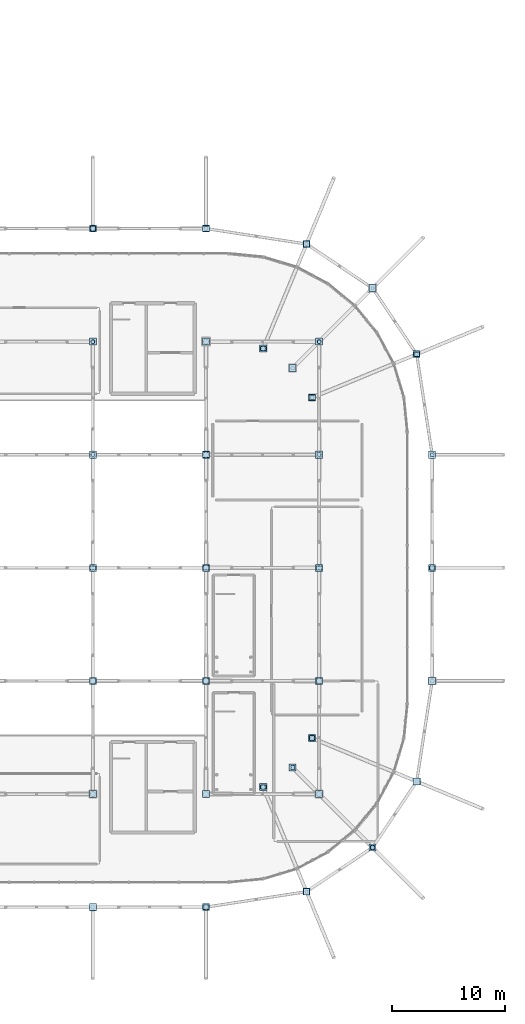
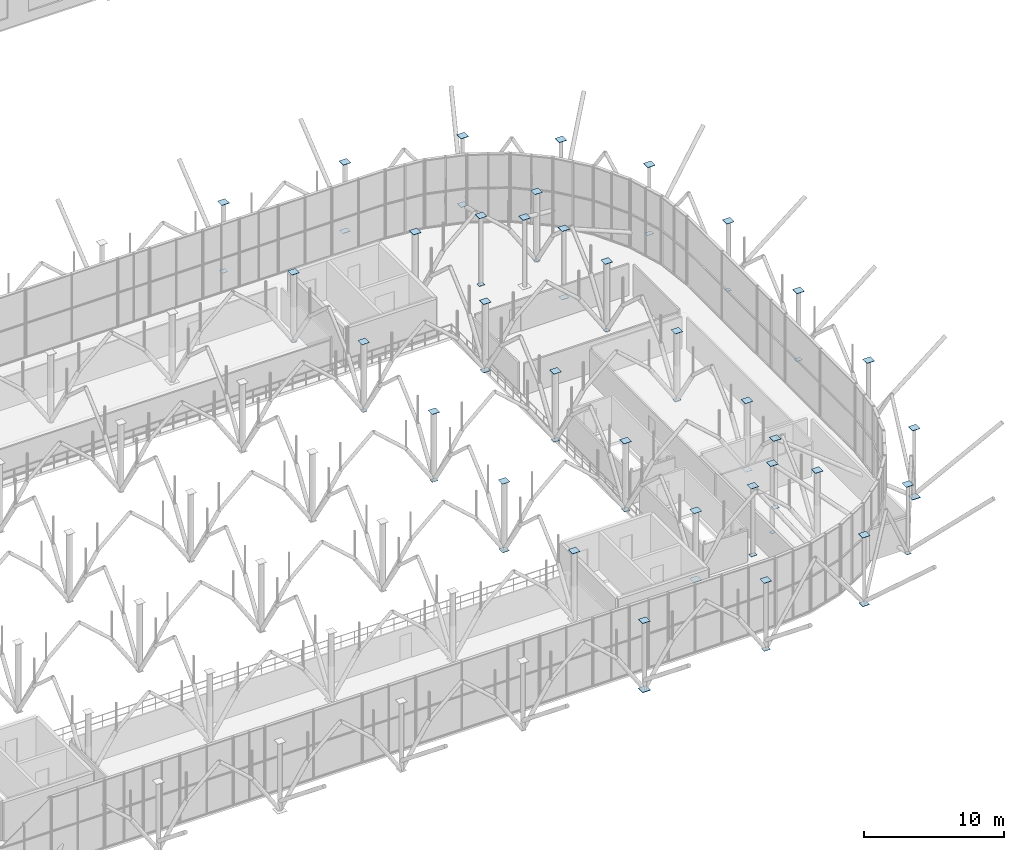
# One storey, part 94 of 109: 62 plates.
"""IFC4 building model written with IfcOpenShell, lengths in metres."""

from ifc_helpers import new_model, si_unit, derived_unit, direction, frame, origin, origin_2d_with_axis, place, context, subcontext, project, spatial, rectangle, extrude, material, layer, layer_set, type_object, element, save


model = new_model("IFC4")

# Units and contexts
model_context = context("Model", 3, precision=1e-05, world=origin(), true_north=direction((0.0, 1.0)))
body_context = subcontext(model_context, "Body", "Model", "MODEL_VIEW")
ifc_project = project(units=[si_unit("LENGTHUNIT", "METRE"), si_unit("AREAUNIT", "SQUARE_METRE"), si_unit("VOLUMEUNIT", "CUBIC_METRE"), si_unit("PLANEANGLEUNIT", "RADIAN"), si_unit("MASSUNIT", "GRAM", prefix="KILO"), derived_unit("THERMALTRANSMITTANCEUNIT", [(si_unit("POWERUNIT", "WATT"), 1), (si_unit("LENGTHUNIT", "METRE"), -2), (si_unit("THERMODYNAMICTEMPERATUREUNIT", "KELVIN"), -1)])], contexts=[model_context])

# Site, building, storey
site_placement = place(None, origin())
site = spatial("IfcSite", under=ifc_project, at=site_placement, CompositionType="ELEMENT")
building_placement = place(site_placement, origin())
building = spatial("IfcBuilding", under=site, at=building_placement, Name="Cinnabar Yard Market Hall", CompositionType="ELEMENT")
storey_placement = place(building_placement, frame((0.0, 0.0, 8.39990234375)))
storey = spatial("IfcBuildingStorey", under=building, at=storey_placement, Name="L02", CompositionType="ELEMENT", Elevation=8.39990234375)

# Plates
ifc_material = material(Name="Steel Grade 350 (350 MPa)", Category="steel")
ifc_layer_1 = layer(ifc_material, 0.02392578125)
ifc_layer_set_1 = layer_set([ifc_layer_1], Name="Steel Grade 350 (350 MPa)")
plate_type_1 = type_object("IfcPlateType", Name="PL-NP02", PredefinedType="SHEET", material=ifc_layer_set_1)
for number, where, z_axis, x_axis, name in (
    (1, (136.0, 34.0, -0.011962890625), (0.0, 0.0, 1.0), (1.0, 0.0, 0.0), "Tree Collar Plate V1I-07-02"),
    (2, (156.0, 34.0, -0.011962890625), (0.0, 0.0, 1.0), (1.0, 0.0, 0.0), "Tree Collar Plate V1I-09-02"),
):
    element("IfcPlate", number, at=place(storey_placement, frame(where, z_axis=z_axis, x_axis=x_axis)), inside=storey, type_object=plate_type_1, Name=name, PredefinedType="SHEET", context=body_context, shape_type="SweptSolid", body=[
        extrude(rectangle(XDim=0.56005859375, YDim=0.56005859375, at=origin_2d_with_axis()), origin(), (0.0, 0.0, 1.0), 0.02392578125),
    ])
ifc_layer_2 = layer(ifc_material, 0.02392578125)
ifc_layer_set_2 = layer_set([ifc_layer_2], Name="Steel Grade 350 (350 MPa)")
plate_type_2 = type_object("IfcPlateType", Name="PL-NP02E", PredefinedType="SHEET", material=ifc_layer_set_2)
for number, where, z_axis, x_axis, name in (
    (3, (154.88818359375, 15.3701171875, -0.011962890625), (0.0, 0.0, 1.0), (1.0, 0.0, 0.0), "Tree Collar Plate V1C-SE2"),
    (4, (154.88818359375, 72.6298828125, -0.011962890625), (0.0, 0.0, 1.0), (1.0, 0.0, 0.0), "Tree Collar Plate V1C-NE6"),
):
    element("IfcPlate", number, at=place(storey_placement, frame(where, z_axis=z_axis, x_axis=x_axis)), inside=storey, type_object=plate_type_2, Name=name, PredefinedType="SHEET", context=body_context, shape_type="SweptSolid", body=[
        extrude(rectangle(XDim=0.56005859375, YDim=0.56005859375, at=origin_2d_with_axis()), origin(), (0.0, 0.0, 1.0), 0.02392578125),
    ])
ifc_layer_3 = layer(ifc_material, 0.02001953125)
ifc_layer_set_3 = layer_set([ifc_layer_3], Name="Steel Grade 350 (350 MPa)")
plate_type_3 = type_object("IfcPlateType", Name="PL-NP03", PredefinedType="SHEET", material=ifc_layer_set_3)
for number, where, z_axis, x_axis, name in (
    (5, (136.0, 44.0, -0.010009765625), (0.0, 0.0, 1.0), (1.0, 0.0, 0.0), "Tree Collar Plate V1I-07-03"),
    (6, (156.0, 44.0, -0.010009765625), (0.0, 0.0, 1.0), (1.0, 0.0, 0.0), "Tree Collar Plate V1I-09-03"),
    (7, (151.0615234375, 24.60888671875, -0.010009765625), (0.0, 0.0, 1.0), (1.0, 0.0, 0.0), "Tree Collar Plate V1IC-SE2"),
    (8, (151.0615234375, 63.39111328125, -0.010009765625), (0.0, 0.0, 1.0), (1.0, 0.0, 0.0), "Tree Collar Plate V1IC-NE6"),
):
    element("IfcPlate", number, at=place(storey_placement, frame(where, z_axis=z_axis, x_axis=x_axis)), inside=storey, type_object=plate_type_3, Name=name, PredefinedType="SHEET", context=body_context, shape_type="SweptSolid", body=[
        extrude(rectangle(XDim=0.47998046875, YDim=0.360107421875, at=origin_2d_with_axis()), origin(), (0.0, 0.0, 1.0), 0.02001953125),
    ])
ifc_layer_4 = layer(ifc_material, 0.02001953125)
ifc_layer_set_4 = layer_set([ifc_layer_4], Name="Steel Grade 350 (350 MPa)")
plate_type_4 = type_object("IfcPlateType", Name="PL-NP03E", PredefinedType="SHEET", material=ifc_layer_set_4)
plate_1_placement = place(storey_placement, frame((166.0, 44.0, -0.010009765625), z_axis=(0.0, 0.0, 1.0), x_axis=(1.0, 0.0, 0.0)))
element("IfcPlate", 9, at=plate_1_placement, inside=storey, type_object=plate_type_4, Name="Tree Collar Plate V1E-02", PredefinedType="SHEET", context=body_context, shape_type="SweptSolid", body=[
    extrude(rectangle(XDim=0.47998046875, YDim=0.360107421875, at=origin_2d_with_axis()), origin(), (0.0, 0.0, 1.0), 0.02001953125),
])
ifc_layer_5 = layer(ifc_material, 0.02392578125)
ifc_layer_set_5 = layer_set([ifc_layer_5], Name="Steel Grade 350 (350 MPa)")
plate_type_5 = type_object("IfcPlateType", Name="PL-NP04", PredefinedType="SHEET", material=ifc_layer_set_5)
for number, where, z_axis, x_axis, name in (
    (10, (136.0, 24.0, 5.988037109375), (0.0, 0.0, 1.0), (1.0, 0.0, 0.0), "Tree Column Top Cap V1I-07-01"),
    (11, (136.0, 34.0, 5.988037109375), (0.0, 0.0, 1.0), (1.0, 0.0, 0.0), "Tree Column Top Cap V1I-07-02"),
    (12, (136.0, 44.0, 5.988037109375), (0.0, 0.0, 1.0), (1.0, 0.0, 0.0), "Tree Column Top Cap V1I-07-03"),
    (13, (136.0, 54.0, 5.988037109375), (0.0, 0.0, 1.0), (1.0, 0.0, 0.0), "Tree Column Top Cap V1I-07-04"),
    (14, (136.0, 64.0, 5.988037109375), (0.0, 0.0, 1.0), (1.0, 0.0, 0.0), "Tree Column Top Cap V1I-07-05"),
    (15, (146.0, 24.0, 5.988037109375), (0.0, 0.0, 1.0), (1.0, 0.0, 0.0), "Tree Column Top Cap V1I-08-01"),
    (16, (146.0, 34.0, 5.988037109375), (0.0, 0.0, 1.0), (1.0, 0.0, 0.0), "Tree Column Top Cap V1I-08-02"),
    (17, (146.0, 44.0, 5.988037109375), (0.0, 0.0, 1.0), (1.0, 0.0, 0.0), "Tree Column Top Cap V1I-08-03"),
    (18, (146.0, 54.0, 5.988037109375), (0.0, 0.0, 1.0), (1.0, 0.0, 0.0), "Tree Column Top Cap V1I-08-04"),
    (19, (146.0, 64.0, 5.988037109375), (0.0, 0.0, 1.0), (1.0, 0.0, 0.0), "Tree Column Top Cap V1I-08-05"),
    (20, (156.0, 24.0, 5.988037109375), (0.0, 0.0, 1.0), (1.0, 0.0, 0.0), "Tree Column Top Cap V1I-09-01"),
    (21, (156.0, 34.0, 5.988037109375), (0.0, 0.0, 1.0), (1.0, 0.0, 0.0), "Tree Column Top Cap V1I-09-02"),
    (22, (156.0, 44.0, 5.988037109375), (0.0, 0.0, 1.0), (1.0, 0.0, 0.0), "Tree Column Top Cap V1I-09-03"),
    (23, (156.0, 54.0, 5.988037109375), (0.0, 0.0, 1.0), (1.0, 0.0, 0.0), "Tree Column Top Cap V1I-09-04"),
    (24, (156.0, 64.0, 5.988037109375), (0.0, 0.0, 1.0), (1.0, 0.0, 0.0), "Tree Column Top Cap V1I-09-05"),
    (25, (151.0615234375, 24.60888671875, 5.988037109375), (0.0, 0.0, 1.0), (1.0, 0.0, 0.0), "Tree Column Top Cap V1IC-SE2"),
    (26, (153.656982421875, 26.343017578125, 5.988037109375), (0.0, 0.0, 1.0), (1.0, 0.0, 0.0), "Tree Column Top Cap V1IC-SE4"),
    (27, (155.39111328125, 28.9384765625, 5.988037109375), (0.0, 0.0, 1.0), (1.0, 0.0, 0.0), "Tree Column Top Cap V1IC-SE6"),
    (28, (155.39111328125, 59.0615234375, 5.988037109375), (0.0, 0.0, 1.0), (1.0, 0.0, 0.0), "Tree Column Top Cap V1IC-NE2"),
    (29, (153.656982421875, 61.656982421875, 5.988037109375), (0.0, 0.0, 1.0), (1.0, 0.0, 0.0), "Tree Column Top Cap V1IC-NE4"),
    (30, (151.0615234375, 63.39111328125, 5.988037109375), (0.0, 0.0, 1.0), (1.0, 0.0, 0.0), "Tree Column Top Cap V1IC-NE6"),
):
    element("IfcPlate", number, at=place(storey_placement, frame(where, z_axis=z_axis, x_axis=x_axis)), inside=storey, type_object=plate_type_5, Name=name, PredefinedType="SHEET", context=body_context, shape_type="SweptSolid", body=[
        extrude(rectangle(XDim=0.6201171875, YDim=0.6201171875, at=origin_2d_with_axis()), origin(), (0.0, 0.0, 1.0), 0.02392578125),
    ])
ifc_layer_6 = layer(ifc_material, 0.02392578125)
ifc_layer_set_6 = layer_set([ifc_layer_6], Name="Steel Grade 350 (350 MPa)")
plate_type_6 = type_object("IfcPlateType", Name="PL-NP04E", PredefinedType="SHEET", material=ifc_layer_set_6)
for number, where, z_axis, x_axis, name in (
    (31, (136.0, 14.0, 5.988037109375), (0.0, 0.0, 1.0), (1.0, 0.0, 0.0), "Tree Column Top Cap V1S-06"),
    (32, (136.0, 74.0, 5.988037109375), (0.0, 0.0, 1.0), (1.0, 0.0, 0.0), "Tree Column Top Cap V1N-06"),
    (33, (146.0, 14.0, 5.988037109375), (0.0, 0.0, 1.0), (1.0, 0.0, 0.0), "Tree Column Top Cap V1S-07"),
    (34, (146.0, 74.0, 5.988037109375), (0.0, 0.0, 1.0), (1.0, 0.0, 0.0), "Tree Column Top Cap V1N-07"),
    (35, (166.0, 34.0, 5.988037109375), (0.0, 0.0, 1.0), (1.0, 0.0, 0.0), "Tree Column Top Cap V1E-01"),
    (36, (166.0, 44.0, 5.988037109375), (0.0, 0.0, 1.0), (1.0, 0.0, 0.0), "Tree Column Top Cap V1E-02"),
    (37, (166.0, 54.0, 5.988037109375), (0.0, 0.0, 1.0), (1.0, 0.0, 0.0), "Tree Column Top Cap V1E-03"),
    (38, (154.88818359375, 15.3701171875, 5.988037109375), (0.0, 0.0, 1.0), (1.0, 0.0, 0.0), "Tree Column Top Cap V1C-SE2"),
    (39, (160.727783203125, 19.272216796875, 5.988037109375), (0.0, 0.0, 1.0), (1.0, 0.0, 0.0), "Tree Column Top Cap V1C-SE4"),
    (40, (164.6298828125, 25.11181640625, 5.988037109375), (0.0, 0.0, 1.0), (1.0, 0.0, 0.0), "Tree Column Top Cap V1C-SE6"),
    (41, (164.6298828125, 62.88818359375, 5.988037109375), (0.0, 0.0, 1.0), (1.0, 0.0, 0.0), "Tree Column Top Cap V1C-NE2"),
    (42, (160.727783203125, 68.727783203125, 5.988037109375), (0.0, 0.0, 1.0), (1.0, 0.0, 0.0), "Tree Column Top Cap V1C-NE4"),
    (43, (154.88818359375, 72.6298828125, 5.988037109375), (0.0, 0.0, 1.0), (1.0, 0.0, 0.0), "Tree Column Top Cap V1C-NE6"),
):
    element("IfcPlate", number, at=place(storey_placement, frame(where, z_axis=z_axis, x_axis=x_axis)), inside=storey, type_object=plate_type_6, Name=name, PredefinedType="SHEET", context=body_context, shape_type="SweptSolid", body=[
        extrude(rectangle(XDim=0.6201171875, YDim=0.6201171875, at=origin_2d_with_axis()), origin(), (0.0, 0.0, 1.0), 0.02392578125),
    ])
ifc_layer_7 = layer(ifc_material, 0.035888671875)
ifc_layer_set_7 = layer_set([ifc_layer_7], Name="Steel Grade 350 (350 MPa)")
plate_type_7 = type_object("IfcPlateType", Name="PL-NP06", PredefinedType="SHEET", material=ifc_layer_set_7)
plate_2_placement = place(storey_placement, frame((146.0, 24.0, -0.01806640625), z_axis=(0.0, 0.0, 1.0), x_axis=(1.0, 0.0, 0.0)))
element("IfcPlate", 44, at=plate_2_placement, inside=storey, type_object=plate_type_7, Name="Tree Collar Plate V1I-08-01", PredefinedType="SHEET", context=body_context, shape_type="SweptSolid", body=[
    extrude(rectangle(XDim=0.639892578125, YDim=0.639892578125, at=origin_2d_with_axis()), origin(), (0.0, 0.0, 1.0), 0.035888671875),
])
ifc_layer_8 = layer(ifc_material, 0.035888671875)
ifc_layer_set_8 = layer_set([ifc_layer_8], Name="Steel Grade 350 (350 MPa)")
plate_type_8 = type_object("IfcPlateType", Name="PL-NP06E", PredefinedType="SHEET", material=ifc_layer_set_8)
for number, where, z_axis, x_axis, name in (
    (45, (136.0, 14.0, -0.01806640625), (0.0, 0.0, 1.0), (1.0, 0.0, 0.0), "Tree Collar Plate V1S-06"),
    (46, (164.6298828125, 25.11181640625, -0.01806640625), (0.0, 0.0, 1.0), (1.0, 0.0, 0.0), "Tree Collar Plate V1C-SE6"),
):
    element("IfcPlate", number, at=place(storey_placement, frame(where, z_axis=z_axis, x_axis=x_axis)), inside=storey, type_object=plate_type_8, Name=name, PredefinedType="SHEET", context=body_context, shape_type="SweptSolid", body=[
        extrude(rectangle(XDim=0.639892578125, YDim=0.639892578125, at=origin_2d_with_axis()), origin(), (0.0, 0.0, 1.0), 0.035888671875),
    ])
ifc_layer_9 = layer(ifc_material, 0.01806640625)
ifc_layer_set_9 = layer_set([ifc_layer_9], Name="Steel Grade 350 (350 MPa)")
plate_type_9 = type_object("IfcPlateType", Name="PL-NP07", PredefinedType="SHEET", material=ifc_layer_set_9)
for number, where, z_axis, x_axis, name in (
    (47, (146.0, 34.0, -0.009033203125), (0.0, 0.0, 1.0), (1.0, 0.0, 0.0), "Tree Collar Plate V1I-08-02"),
    (48, (155.39111328125, 28.9384765625, -0.009033203125), (0.0, 0.0, 1.0), (1.0, 0.0, 0.0), "Tree Collar Plate V1IC-SE6"),
):
    element("IfcPlate", number, at=place(storey_placement, frame(where, z_axis=z_axis, x_axis=x_axis)), inside=storey, type_object=plate_type_9, Name=name, PredefinedType="SHEET", context=body_context, shape_type="SweptSolid", body=[
        extrude(rectangle(XDim=0.43994140625, YDim=0.43994140625, at=origin_2d_with_axis()), origin(), (0.0, 0.0, 1.0), 0.01806640625),
    ])
ifc_layer_10 = layer(ifc_material, 0.01806640625)
ifc_layer_set_10 = layer_set([ifc_layer_10], Name="Steel Grade 350 (350 MPa)")
plate_type_10 = type_object("IfcPlateType", Name="PL-NP07E", PredefinedType="SHEET", material=ifc_layer_set_10)
plate_3_placement = place(storey_placement, frame((136.0, 74.0, -0.009033203125), z_axis=(0.0, 0.0, 1.0), x_axis=(1.0, 0.0, 0.0)))
element("IfcPlate", 49, at=plate_3_placement, inside=storey, type_object=plate_type_10, Name="Tree Collar Plate V1N-06", PredefinedType="SHEET", context=body_context, shape_type="SweptSolid", body=[
    extrude(rectangle(XDim=0.43994140625, YDim=0.43994140625, at=origin_2d_with_axis()), origin(), (0.0, 0.0, 1.0), 0.01806640625),
])
ifc_layer_11 = layer(ifc_material, 0.02197265625)
ifc_layer_set_11 = layer_set([ifc_layer_11], Name="Steel Grade 350 (350 MPa)")
plate_type_11 = type_object("IfcPlateType", Name="PL-NP08", PredefinedType="SHEET", material=ifc_layer_set_11)
plate_4_placement = place(storey_placement, frame((146.0, 44.0, -0.010986328125), z_axis=(0.0, 0.0, 1.0), x_axis=(1.0, 0.0, 0.0)))
element("IfcPlate", 50, at=plate_4_placement, inside=storey, type_object=plate_type_11, Name="Tree Collar Plate V1I-08-03", PredefinedType="SHEET", context=body_context, shape_type="SweptSolid", body=[
    extrude(rectangle(XDim=0.52001953125, YDim=0.39990234375, at=origin_2d_with_axis()), origin(), (0.0, 0.0, 1.0), 0.02197265625),
])
ifc_layer_12 = layer(ifc_material, 0.02197265625)
ifc_layer_set_12 = layer_set([ifc_layer_12], Name="Steel Grade 350 (350 MPa)")
plate_type_12 = type_object("IfcPlateType", Name="PL-NP08E", PredefinedType="SHEET", material=ifc_layer_set_12)
for number, where, z_axis, x_axis, name in (
    (51, (146.0, 14.0, -0.010986328125), (0.0, 0.0, 1.0), (1.0, 0.0, 0.0), "Tree Collar Plate V1S-07"),
    (52, (164.6298828125, 62.88818359375, -0.010986328125), (0.0, 0.0, 1.0), (1.0, 0.0, 0.0), "Tree Collar Plate V1C-NE2"),
):
    element("IfcPlate", number, at=place(storey_placement, frame(where, z_axis=z_axis, x_axis=x_axis)), inside=storey, type_object=plate_type_12, Name=name, PredefinedType="SHEET", context=body_context, shape_type="SweptSolid", body=[
        extrude(rectangle(XDim=0.52001953125, YDim=0.39990234375, at=origin_2d_with_axis()), origin(), (0.0, 0.0, 1.0), 0.02197265625),
    ])
ifc_layer_13 = layer(ifc_material, 0.02587890625)
ifc_layer_set_13 = layer_set([ifc_layer_13], Name="Steel Grade 350 (350 MPa)")
plate_type_13 = type_object("IfcPlateType", Name="PL-NP09", PredefinedType="SHEET", material=ifc_layer_set_13)
for number, where, z_axis, x_axis, name in (
    (53, (146.0, 54.0, -0.012939453125), (0.0, 0.0, 1.0), (1.0, 0.0, 0.0), "Tree Collar Plate V1I-08-04"),
    (54, (155.39111328125, 59.0615234375, -0.012939453125), (0.0, 0.0, 1.0), (1.0, 0.0, 0.0), "Tree Collar Plate V1IC-NE2"),
):
    element("IfcPlate", number, at=place(storey_placement, frame(where, z_axis=z_axis, x_axis=x_axis)), inside=storey, type_object=plate_type_13, Name=name, PredefinedType="SHEET", context=body_context, shape_type="SweptSolid", body=[
        extrude(rectangle(XDim=0.60009765625, YDim=0.47998046875, at=origin_2d_with_axis()), origin(), (0.0, 0.0, 1.0), 0.02587890625),
    ])
ifc_layer_14 = layer(ifc_material, 0.02587890625)
ifc_layer_set_14 = layer_set([ifc_layer_14], Name="Steel Grade 350 (350 MPa)")
plate_type_14 = type_object("IfcPlateType", Name="PL-NP09E", PredefinedType="SHEET", material=ifc_layer_set_14)
plate_5_placement = place(storey_placement, frame((146.0, 74.0, -0.012939453125), z_axis=(0.0, 0.0, 1.0), x_axis=(1.0, 0.0, 0.0)))
element("IfcPlate", 55, at=plate_5_placement, inside=storey, type_object=plate_type_14, Name="Tree Collar Plate V1N-07", PredefinedType="SHEET", context=body_context, shape_type="SweptSolid", body=[
    extrude(rectangle(XDim=0.60009765625, YDim=0.47998046875, at=origin_2d_with_axis()), origin(), (0.0, 0.0, 1.0), 0.02587890625),
])
ifc_layer_15 = layer(ifc_material, 0.01611328125)
ifc_layer_set_15 = layer_set([ifc_layer_15], Name="Steel Grade 350 (350 MPa)")
plate_type_15 = type_object("IfcPlateType", Name="PL-NP11", PredefinedType="SHEET", material=ifc_layer_set_15)
for number, where, z_axis, x_axis, name in (
    (56, (136.0, 54.0, -0.008056640625), (0.0, 0.0, 1.0), (1.0, 0.0, 0.0), "Tree Collar Plate V1I-07-04"),
    (57, (156.0, 54.0, -0.008056640625), (0.0, 0.0, 1.0), (1.0, 0.0, 0.0), "Tree Collar Plate V1I-09-04"),
):
    element("IfcPlate", number, at=place(storey_placement, frame(where, z_axis=z_axis, x_axis=x_axis)), inside=storey, type_object=plate_type_15, Name=name, PredefinedType="SHEET", context=body_context, shape_type="SweptSolid", body=[
        extrude(rectangle(XDim=0.3798828125, YDim=0.3798828125, at=origin_2d_with_axis()), origin(), (0.0, 0.0, 1.0), 0.01611328125),
    ])
ifc_layer_16 = layer(ifc_material, 0.01611328125)
ifc_layer_set_16 = layer_set([ifc_layer_16], Name="Steel Grade 350 (350 MPa)")
plate_type_16 = type_object("IfcPlateType", Name="PL-NP11E", PredefinedType="SHEET", material=ifc_layer_set_16)
plate_6_placement = place(storey_placement, frame((160.727783203125, 19.272216796875, -0.008056640625), z_axis=(0.0, 0.0, 1.0), x_axis=(1.0, 0.0, 0.0)))
element("IfcPlate", 58, at=plate_6_placement, inside=storey, type_object=plate_type_16, Name="Tree Collar Plate V1C-SE4", PredefinedType="SHEET", context=body_context, shape_type="SweptSolid", body=[
    extrude(rectangle(XDim=0.3798828125, YDim=0.3798828125, at=origin_2d_with_axis()), origin(), (0.0, 0.0, 1.0), 0.01611328125),
])
ifc_layer_17 = layer(ifc_material, 0.011962890625)
ifc_layer_set_17 = layer_set([ifc_layer_17], Name="Steel Grade 350 (350 MPa)")
plate_type_17 = type_object("IfcPlateType", Name="PL-NP13", PredefinedType="SHEET", material=ifc_layer_set_17)
for number, where, z_axis, x_axis, name in (
    (59, (136.0, 64.0, -0.005859375), (0.0, 0.0, 1.0), (1.0, 0.0, 0.0), "Tree Collar Plate V1I-07-05"),
    (60, (156.0, 64.0, -0.005859375), (0.0, 0.0, 1.0), (1.0, 0.0, 0.0), "Tree Collar Plate V1I-09-05"),
    (61, (153.656982421875, 26.343017578125, -0.005859375), (0.0, 0.0, 1.0), (1.0, 0.0, 0.0), "Tree Collar Plate V1IC-SE4"),
):
    element("IfcPlate", number, at=place(storey_placement, frame(where, z_axis=z_axis, x_axis=x_axis)), inside=storey, type_object=plate_type_17, Name=name, PredefinedType="SHEET", context=body_context, shape_type="SweptSolid", body=[
        extrude(rectangle(XDim=0.320068359375, YDim=0.320068359375, at=origin_2d_with_axis()), origin(), (0.0, 0.0, 1.0), 0.011962890625),
    ])
ifc_layer_18 = layer(ifc_material, 0.011962890625)
ifc_layer_set_18 = layer_set([ifc_layer_18], Name="Steel Grade 350 (350 MPa)")
plate_type_18 = type_object("IfcPlateType", Name="PL-NP13E", PredefinedType="SHEET", material=ifc_layer_set_18)
plate_7_placement = place(storey_placement, frame((166.0, 54.0, -0.005859375), z_axis=(0.0, 0.0, 1.0), x_axis=(1.0, 0.0, 0.0)))
element("IfcPlate", 62, at=plate_7_placement, inside=storey, type_object=plate_type_18, Name="Tree Collar Plate V1E-03", PredefinedType="SHEET", context=body_context, shape_type="SweptSolid", body=[
    extrude(rectangle(XDim=0.320068359375, YDim=0.320068359375, at=origin_2d_with_axis()), origin(), (0.0, 0.0, 1.0), 0.011962890625),
])

save(model, "model.ifc")
